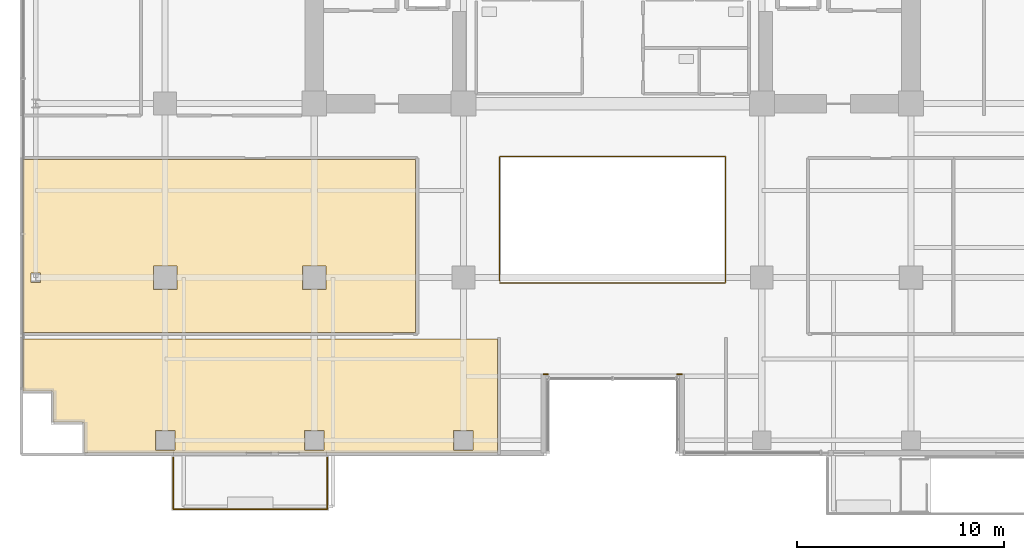
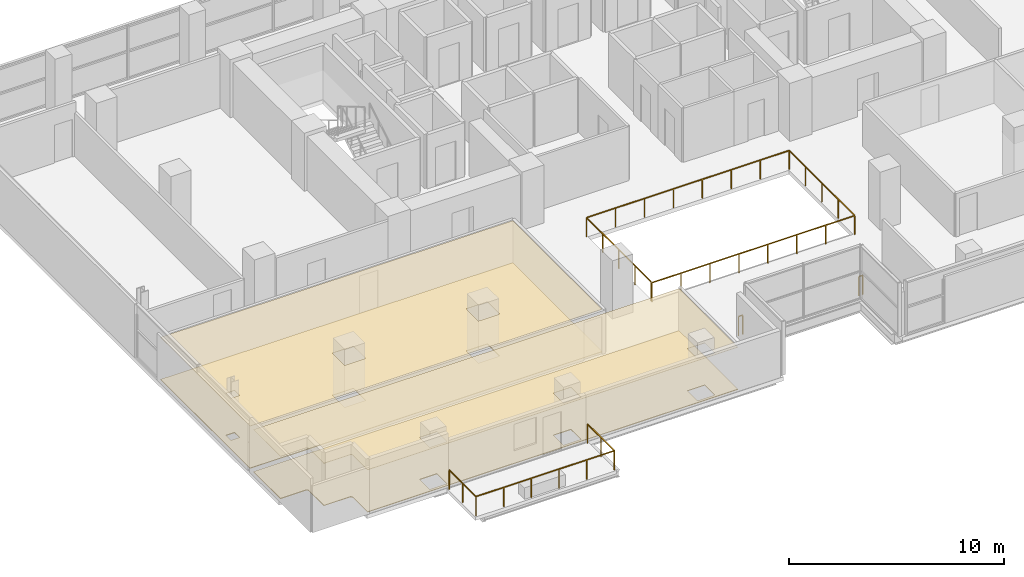
# One storey, part 25 of 28: 4 coverings, 4 railings.
"""IFC4 building model written with IfcOpenShell, lengths in metres."""

from ifc_helpers import new_model, si_unit, direction, frame, origin, origin_2d, place, context, subcontext, project, spatial, polyline, rectangle, outline, extrude, material, layer, layer_set, type_object, element, save


model = new_model("IFC4")

# Units and contexts
model_context = context("Model", 3, precision=1e-05, world=origin(), true_north=direction((0.0, 1.0)))
body_context = subcontext(model_context, "Body", "Model", "MODEL_VIEW")
ifc_project = project(units=[si_unit("LENGTHUNIT", "METRE"), si_unit("AREAUNIT", "SQUARE_METRE"), si_unit("VOLUMEUNIT", "CUBIC_METRE"), si_unit("PLANEANGLEUNIT", "RADIAN"), si_unit("MASSUNIT", "GRAM", prefix="KILO")], contexts=[model_context])

# Site, building, storey
site_placement = place(None, origin())
site = spatial("IfcSite", under=ifc_project, at=site_placement, CompositionType="ELEMENT")
building_placement = place(site_placement, origin())
building = spatial("IfcBuilding", under=site, at=building_placement, Name="Zarnakvel Exchange Tower", CompositionType="ELEMENT")
storey_placement = place(building_placement, frame((0.0, 0.0, 57.10009765625)))
storey = spatial("IfcBuildingStorey", under=building, at=storey_placement, Name="L15", CompositionType="ELEMENT", Elevation=57.10009765625)

# Coverings
ifc_material_1 = material(Name="Perforated Bronze Acoustic Metal Ceiling", Category="aluminium")
ifc_layer_1 = layer(ifc_material_1, 0.02001953125)
ifc_layer_set_1 = layer_set([ifc_layer_1], Name="Perforated Bronze Acoustic Metal Ceiling")
covering_type_1 = type_object("IfcCoveringType", Name="CLG-01", PredefinedType="CEILING", material=ifc_layer_set_1)
covering_1_placement = place(storey_placement, frame((0.0, 0.0, 2.40478515625)))
element("IfcCovering", 1, at=covering_1_placement, inside=storey, type_object=covering_type_1, Name="L15 Suspended Acoustic Ceiling (Commodities Dealing Room)", PredefinedType="CEILING", context=body_context, shape_type="SweptSolid", body=[
    extrude(outline(polyline([(-28.449951171875, -3.909912109375), (-9.510009765625, -3.909912109375), (-9.510009765625, -12.239990234375), (-28.449951171875, -12.239990234375), (-28.449951171875, -3.909912109375)]), holes=[polyline([(-13.830078125, -10.169921875), (-13.830078125, -9.030029296875), (-14.969970703125, -9.030029296875), (-14.969970703125, -10.169921875), (-13.830078125, -10.169921875)]), polyline([(-21.030029296875, -10.169921875), (-21.030029296875, -9.030029296875), (-22.169921875, -9.030029296875), (-22.169921875, -10.169921875), (-21.030029296875, -10.169921875)]), polyline([(-28.075927734375, -9.83251953125), (-27.6240234375, -9.83251953125), (-27.6240234375, -9.367431640625), (-28.075927734375, -9.367431640625), (-28.075927734375, -9.83251953125)])]), origin(), (0.0, 0.0, 1.0), 0.02001953125),
])
covering_2_placement = place(storey_placement, frame((0.0, 0.0, 2.40478515625)))
element("IfcCovering", 2, at=covering_2_placement, inside=storey, type_object=covering_type_1, Name="L15 Suspended Acoustic Ceiling (Commodities Dealing Room)", PredefinedType="CEILING", context=body_context, shape_type="SweptSolid", body=[
    extrude(outline(polyline([(-5.56005859375, -12.56005859375), (-5.56005859375, -18.050048828125), (-25.47998046875, -18.050048828125), (-25.47998046875, -16.699951171875), (-25.48046875, -16.688232421875), (-25.482421875, -16.676513671875), (-25.485107421875, -16.665283203125), (-25.489013671875, -16.654052734375), (-25.494140625, -16.643310546875), (-25.500244140625, -16.63330078125), (-25.50732421875, -16.623779296875), (-25.51513671875, -16.615234375), (-25.52392578125, -16.607177734375), (-25.533447265625, -16.600341796875), (-25.54345703125, -16.59423828125), (-25.55419921875, -16.589111328125), (-25.565185546875, -16.585205078125), (-25.57666015625, -16.582275390625), (-25.588134765625, -16.58056640625), (-25.60009765625, -16.580078125), (-26.97998046875, -16.580078125), (-26.97998046875, -15.199951171875), (-26.98046875, -15.188232421875), (-26.982421875, -15.176513671875), (-26.985107421875, -15.165283203125), (-26.989013671875, -15.154052734375), (-26.994140625, -15.143310546875), (-27.000244140625, -15.13330078125), (-27.00732421875, -15.123779296875), (-27.01513671875, -15.115234375), (-27.02392578125, -15.107177734375), (-27.033447265625, -15.100341796875), (-27.04345703125, -15.09423828125), (-27.05419921875, -15.089111328125), (-27.065185546875, -15.085205078125), (-27.07666015625, -15.082275390625), (-27.088134765625, -15.08056640625), (-27.10009765625, -15.080078125), (-28.449951171875, -15.080078125), (-28.449951171875, -12.56005859375), (-5.56005859375, -12.56005859375)]), holes=[polyline([(-6.72998046875, -17.919921875), (-6.72998046875, -16.97998046875), (-7.669921875, -16.97998046875), (-7.669921875, -17.919921875), (-6.72998046875, -17.919921875)]), polyline([(-13.929931640625, -17.919921875), (-13.929931640625, -16.97998046875), (-14.8701171875, -16.97998046875), (-14.8701171875, -17.919921875), (-13.929931640625, -17.919921875)]), polyline([(-21.1298828125, -17.919921875), (-21.1298828125, -16.97998046875), (-22.070068359375, -16.97998046875), (-22.070068359375, -17.919921875), (-21.1298828125, -17.919921875)])]), origin(), (0.0, 0.0, 1.0), 0.02001953125),
])
ifc_material_2 = material(Name="Heavy-Duty Raised Access Floor Panel", Category="steel")
ifc_layer_2 = layer(ifc_material_2, 0.034912109375)
ifc_layer_set_2 = layer_set([ifc_layer_2], Name="Heavy-Duty Raised Access Floor Panel")
covering_type_2 = type_object("IfcCoveringType", Name="FLR-02", PredefinedType="FLOORING", material=ifc_layer_set_2)
covering_3_placement = place(storey_placement, origin())
element("IfcCovering", 3, at=covering_3_placement, inside=storey, type_object=covering_type_2, Name="L15 Floor Finish (Commodities Dealing Room)", PredefinedType="FLOORING", context=body_context, shape_type="SweptSolid", body=[
    extrude(outline(polyline([(-28.449951171875, -3.909912109375), (-9.510009765625, -3.909912109375), (-9.510009765625, -12.239990234375), (-28.449951171875, -12.239990234375), (-28.449951171875, -3.909912109375)]), holes=[polyline([(-13.830078125, -10.169921875), (-13.830078125, -9.030029296875), (-14.969970703125, -9.030029296875), (-14.969970703125, -10.169921875), (-13.830078125, -10.169921875)]), polyline([(-21.030029296875, -10.169921875), (-21.030029296875, -9.030029296875), (-22.169921875, -9.030029296875), (-22.169921875, -10.169921875), (-21.030029296875, -10.169921875)]), polyline([(-28.075927734375, -9.83251953125), (-27.6240234375, -9.83251953125), (-27.6240234375, -9.367431640625), (-28.075927734375, -9.367431640625), (-28.075927734375, -9.83251953125)])]), origin(), (0.0, 0.0, 1.0), 0.034912109375),
])
covering_4_placement = place(storey_placement, origin())
element("IfcCovering", 4, at=covering_4_placement, inside=storey, type_object=covering_type_2, Name="L15 Floor Finish (Commodities Dealing Room)", PredefinedType="FLOORING", context=body_context, shape_type="SweptSolid", body=[
    extrude(outline(polyline([(-5.56005859375, -12.56005859375), (-5.56005859375, -18.050048828125), (-25.47998046875, -18.050048828125), (-25.47998046875, -16.699951171875), (-25.48046875, -16.688232421875), (-25.482421875, -16.676513671875), (-25.485107421875, -16.665283203125), (-25.489013671875, -16.654052734375), (-25.494140625, -16.643310546875), (-25.500244140625, -16.63330078125), (-25.50732421875, -16.623779296875), (-25.51513671875, -16.615234375), (-25.52392578125, -16.607177734375), (-25.533447265625, -16.600341796875), (-25.54345703125, -16.59423828125), (-25.55419921875, -16.589111328125), (-25.565185546875, -16.585205078125), (-25.57666015625, -16.582275390625), (-25.588134765625, -16.58056640625), (-25.60009765625, -16.580078125), (-26.97998046875, -16.580078125), (-26.97998046875, -15.199951171875), (-26.98046875, -15.188232421875), (-26.982421875, -15.176513671875), (-26.985107421875, -15.165283203125), (-26.989013671875, -15.154052734375), (-26.994140625, -15.143310546875), (-27.000244140625, -15.13330078125), (-27.00732421875, -15.123779296875), (-27.01513671875, -15.115234375), (-27.02392578125, -15.107177734375), (-27.033447265625, -15.100341796875), (-27.04345703125, -15.09423828125), (-27.05419921875, -15.089111328125), (-27.065185546875, -15.085205078125), (-27.07666015625, -15.082275390625), (-27.088134765625, -15.08056640625), (-27.10009765625, -15.080078125), (-28.449951171875, -15.080078125), (-28.449951171875, -12.56005859375), (-5.56005859375, -12.56005859375)]), holes=[polyline([(-6.72998046875, -17.919921875), (-6.72998046875, -16.97998046875), (-7.669921875, -16.97998046875), (-7.669921875, -17.919921875), (-6.72998046875, -17.919921875)]), polyline([(-13.929931640625, -17.919921875), (-13.929931640625, -16.97998046875), (-14.8701171875, -16.97998046875), (-14.8701171875, -17.919921875), (-13.929931640625, -17.919921875)]), polyline([(-21.1298828125, -17.919921875), (-21.1298828125, -16.97998046875), (-22.070068359375, -16.97998046875), (-22.070068359375, -17.919921875), (-21.1298828125, -17.919921875)])]), origin(), (0.0, 0.0, 1.0), 0.034912109375),
])

# Railings
ifc_material_3 = material(Name="Architectural Bronze Anodised Aluminium", Category="aluminium")
railing_type_1 = type_object("IfcRailingType", Name="GR-02", PredefinedType="GUARDRAIL", material=ifc_material_3)
railing_1_placement = place(storey_placement, frame((-21.219970703125, -18.280029296875, -0.03515625)))
element("IfcRailing", 5, at=railing_1_placement, inside=storey, type_object=railing_type_1, Name="L15 Balcony Guardrail BAL-L15-SW", PredefinedType="GUARDRAIL", context=body_context, shape_type="SweptSolid", body=[
    extrude(rectangle(XDim=0.048095703125, YDim=0.048095703125, at=origin_2d()), frame((0.0, 0.0, 1.09619140625), z_axis=(0.0, -1.0, 0.0), x_axis=(1.0, 0.0, 0.0)), (0.0, 0.0, 1.0), 2.489990234375),
    extrude(rectangle(XDim=0.048095703125, YDim=0.048095703125, at=origin_2d()), frame((0.0, -2.489990234375, 1.09619140625), z_axis=(1.0, 0.0, 0.0), x_axis=(0.0, 1.0, 0.0)), (0.0, 0.0, 1.0), 7.43994140625),
    extrude(rectangle(XDim=0.048095703125, YDim=0.048095703125, at=origin_2d()), frame((7.43994140625, -2.489990234375, 1.09619140625), z_axis=(0.0, 1.0, 0.0), x_axis=(-1.0, 0.0, 0.0)), (0.0, 0.0, 1.0), 2.489990234375),
    extrude(rectangle(XDim=0.0419921875, YDim=0.0419921875, at=origin_2d()), origin(), (0.0, 0.0, 1.0), 1.072021484375),
    extrude(rectangle(XDim=0.0419921875, YDim=0.0419921875, at=origin_2d()), frame((0.0, -1.2451171875, 0.0)), (0.0, 0.0, 1.0), 1.072021484375),
    extrude(rectangle(XDim=0.0419921875, YDim=0.0419921875, at=origin_2d()), frame((0.0, -2.489990234375, 0.0)), (0.0, 0.0, 1.0), 1.072021484375),
    extrude(rectangle(XDim=0.0419921875, YDim=0.0419921875, at=origin_2d()), frame((1.488037109375, -2.489990234375, 0.0)), (0.0, 0.0, 1.0), 1.072021484375),
    extrude(rectangle(XDim=0.0419921875, YDim=0.0419921875, at=origin_2d()), frame((2.97607421875, -2.489990234375, 0.0)), (0.0, 0.0, 1.0), 1.072021484375),
    extrude(rectangle(XDim=0.0419921875, YDim=0.0419921875, at=origin_2d()), frame((4.4638671875, -2.489990234375, 0.0)), (0.0, 0.0, 1.0), 1.072021484375),
    extrude(rectangle(XDim=0.0419921875, YDim=0.0419921875, at=origin_2d()), frame((5.951904296875, -2.489990234375, 0.0)), (0.0, 0.0, 1.0), 1.072021484375),
    extrude(rectangle(XDim=0.0419921875, YDim=0.0419921875, at=origin_2d()), frame((7.43994140625, -2.489990234375, 0.0)), (0.0, 0.0, 1.0), 1.072021484375),
    extrude(rectangle(XDim=0.0419921875, YDim=0.0419921875, at=origin_2d()), frame((7.43994140625, -1.2451171875, 0.0)), (0.0, 0.0, 1.0), 1.072021484375),
    extrude(rectangle(XDim=0.0419921875, YDim=0.0419921875, at=origin_2d()), frame((7.43994140625, 0.0, 0.0)), (0.0, 0.0, 1.0), 1.072021484375),
])
for number, where, name in (
    (6, (3.340087890625, -14.260009765625, 0.0), "L15 Corner Spandrel Balustrade #18"),
    (7, (-3.1201171875, -14.260009765625, 0.0), "L15 Corner Spandrel Balustrade #19"),
):
    element("IfcRailing", number, at=place(storey_placement, frame(where)), inside=storey, type_object=railing_type_1, Name=name, PredefinedType="GUARDRAIL", context=body_context, shape_type="SweptSolid", body=[
        extrude(rectangle(XDim=0.048095703125, YDim=0.048095703125, at=origin_2d()), frame((0.0, 0.0, 1.09619140625), z_axis=(-1.0, 0.0, 0.0), x_axis=(0.0, -1.0, 0.0)), (0.0, 0.0, 1.0), 0.219970703125),
        extrude(rectangle(XDim=0.0419921875, YDim=0.0419921875, at=origin_2d()), origin(), (0.0, 0.0, 1.0), 1.072021484375),
        extrude(rectangle(XDim=0.0419921875, YDim=0.0419921875, at=origin_2d()), frame((-0.219970703125, 0.0, 0.0)), (0.0, 0.0, 1.0), 1.072021484375),
    ])
railing_type_2 = type_object("IfcRailingType", Name="GR-03", PredefinedType="GUARDRAIL", material=ifc_material_3)
railing_2_placement = place(storey_placement, frame((-5.449951171875, -9.85009765625, 0.0)))
element("IfcRailing", 8, at=railing_2_placement, inside=storey, type_object=railing_type_2, Name="L15 Atrium Void Perimeter Balustrade", PredefinedType="GUARDRAIL", context=body_context, shape_type="SweptSolid", body=[
    extrude(rectangle(XDim=0.048095703125, YDim=0.048095703125, at=origin_2d()), frame((0.0, 0.0, 1.076171875), z_axis=(1.0, 0.0, 0.0), x_axis=(0.0, 1.0, 0.0)), (0.0, 0.0, 1.0), 10.89990234375),
    extrude(rectangle(XDim=0.048095703125, YDim=0.048095703125, at=origin_2d()), frame((10.89990234375, 0.0, 1.076171875), z_axis=(0.0, 1.0, 0.0), x_axis=(-1.0, 0.0, 0.0)), (0.0, 0.0, 1.0), 6.10009765625),
    extrude(rectangle(XDim=0.048095703125, YDim=0.048095703125, at=origin_2d()), frame((10.89990234375, 6.10009765625, 1.076171875), z_axis=(-1.0, 0.0, 0.0), x_axis=(0.0, -1.0, 0.0)), (0.0, 0.0, 1.0), 10.89990234375),
    extrude(rectangle(XDim=0.048095703125, YDim=0.048095703125, at=origin_2d()), frame((0.0, 6.10009765625, 1.076171875), z_axis=(0.0, -1.0, 0.0), x_axis=(1.0, 0.0, 0.0)), (0.0, 0.0, 1.0), 6.02001953125),
    extrude(rectangle(XDim=0.0419921875, YDim=0.0419921875, at=origin_2d()), origin(), (0.0, 0.0, 1.0), 1.052001953125),
    extrude(rectangle(XDim=0.0419921875, YDim=0.0419921875, at=origin_2d()), frame((1.55712890625, 0.0, 0.0)), (0.0, 0.0, 1.0), 1.052001953125),
    extrude(rectangle(XDim=0.0419921875, YDim=0.0419921875, at=origin_2d()), frame((3.1142578125, 0.0, 0.0)), (0.0, 0.0, 1.0), 1.052001953125),
    extrude(rectangle(XDim=0.0419921875, YDim=0.0419921875, at=origin_2d()), frame((4.67138671875, 0.0, 0.0)), (0.0, 0.0, 1.0), 1.052001953125),
    extrude(rectangle(XDim=0.0419921875, YDim=0.0419921875, at=origin_2d()), frame((6.228515625, 0.0, 0.0)), (0.0, 0.0, 1.0), 1.052001953125),
    extrude(rectangle(XDim=0.0419921875, YDim=0.0419921875, at=origin_2d()), frame((7.78564453125, 0.0, 0.0)), (0.0, 0.0, 1.0), 1.052001953125),
    extrude(rectangle(XDim=0.0419921875, YDim=0.0419921875, at=origin_2d()), frame((9.3427734375, 0.0, 0.0)), (0.0, 0.0, 1.0), 1.052001953125),
    extrude(rectangle(XDim=0.0419921875, YDim=0.0419921875, at=origin_2d()), frame((10.89990234375, 0.0, 0.0)), (0.0, 0.0, 1.0), 1.052001953125),
    extrude(rectangle(XDim=0.0419921875, YDim=0.0419921875, at=origin_2d()), frame((10.89990234375, 1.52490234375, 0.0)), (0.0, 0.0, 1.0), 1.052001953125),
    extrude(rectangle(XDim=0.0419921875, YDim=0.0419921875, at=origin_2d()), frame((10.89990234375, 3.050048828125, 0.0)), (0.0, 0.0, 1.0), 1.052001953125),
    extrude(rectangle(XDim=0.0419921875, YDim=0.0419921875, at=origin_2d()), frame((10.89990234375, 4.5751953125, 0.0)), (0.0, 0.0, 1.0), 1.052001953125),
    extrude(rectangle(XDim=0.0419921875, YDim=0.0419921875, at=origin_2d()), frame((10.89990234375, 6.10009765625, 0.0)), (0.0, 0.0, 1.0), 1.052001953125),
    extrude(rectangle(XDim=0.0419921875, YDim=0.0419921875, at=origin_2d()), frame((9.3427734375, 6.10009765625, 0.0)), (0.0, 0.0, 1.0), 1.052001953125),
    extrude(rectangle(XDim=0.0419921875, YDim=0.0419921875, at=origin_2d()), frame((7.78564453125, 6.10009765625, 0.0)), (0.0, 0.0, 1.0), 1.052001953125),
    extrude(rectangle(XDim=0.0419921875, YDim=0.0419921875, at=origin_2d()), frame((6.228515625, 6.10009765625, 0.0)), (0.0, 0.0, 1.0), 1.052001953125),
    extrude(rectangle(XDim=0.0419921875, YDim=0.0419921875, at=origin_2d()), frame((4.67138671875, 6.10009765625, 0.0)), (0.0, 0.0, 1.0), 1.052001953125),
    extrude(rectangle(XDim=0.0419921875, YDim=0.0419921875, at=origin_2d()), frame((3.1142578125, 6.10009765625, 0.0)), (0.0, 0.0, 1.0), 1.052001953125),
    extrude(rectangle(XDim=0.0419921875, YDim=0.0419921875, at=origin_2d()), frame((1.55712890625, 6.10009765625, 0.0)), (0.0, 0.0, 1.0), 1.052001953125),
    extrude(rectangle(XDim=0.0419921875, YDim=0.0419921875, at=origin_2d()), frame((0.0, 6.10009765625, 0.0)), (0.0, 0.0, 1.0), 1.052001953125),
    extrude(rectangle(XDim=0.0419921875, YDim=0.0419921875, at=origin_2d()), frame((0.0, 4.59521484375, 0.0)), (0.0, 0.0, 1.0), 1.052001953125),
    extrude(rectangle(XDim=0.0419921875, YDim=0.0419921875, at=origin_2d()), frame((0.0, 3.090087890625, 0.0)), (0.0, 0.0, 1.0), 1.052001953125),
    extrude(rectangle(XDim=0.0419921875, YDim=0.0419921875, at=origin_2d()), frame((0.0, 1.5849609375, 0.0)), (0.0, 0.0, 1.0), 1.052001953125),
    extrude(rectangle(XDim=0.0419921875, YDim=0.0419921875, at=origin_2d()), frame((0.0, 0.080078125, 0.0)), (0.0, 0.0, 1.0), 1.052001953125),
])

save(model, "model.ifc")
